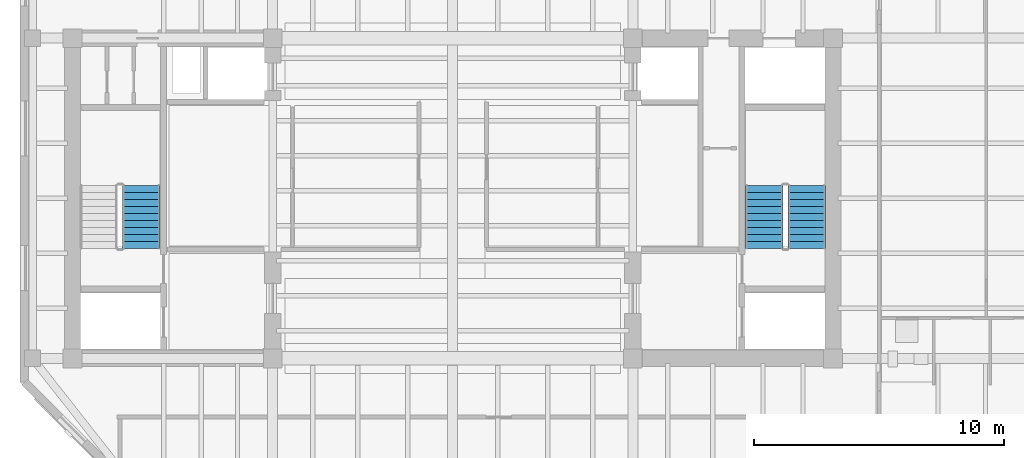
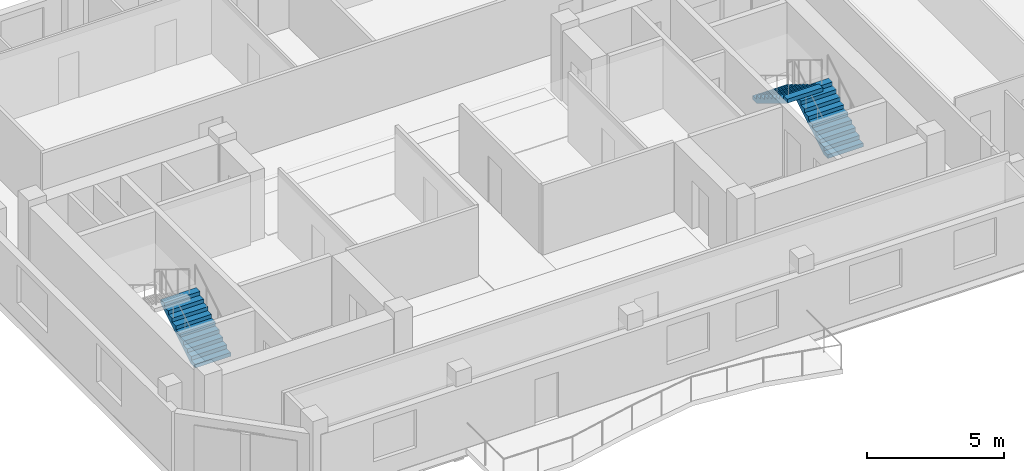
# One storey, part 6 of 9: 3 stair flights, 2 elements without a shape of their own.
"""IFC4 building model written with IfcOpenShell, lengths in metres."""

from ifc_helpers import new_model, si_unit, direction, frame, origin, place, context, subcontext, project, spatial, polyline, outline, extrude, material, type_object, element, aggregate, save


model = new_model("IFC4")

# Units and contexts
model_context = context("Model", 3, precision=1e-05, world=origin(), true_north=direction((0.0, 1.0)))
body_context = subcontext(model_context, "Body", "Model", "MODEL_VIEW")
ifc_project = project(units=[si_unit("LENGTHUNIT", "METRE"), si_unit("AREAUNIT", "SQUARE_METRE"), si_unit("VOLUMEUNIT", "CUBIC_METRE"), si_unit("PLANEANGLEUNIT", "RADIAN"), si_unit("MASSUNIT", "GRAM", prefix="KILO")], contexts=[model_context])

# Site, building, storey
site_placement = place(None, origin())
site = spatial("IfcSite", under=ifc_project, at=site_placement, CompositionType="ELEMENT")
building_placement = place(site_placement, origin())
building = spatial("IfcBuilding", under=site, at=building_placement, Name="Kranthara Brick Stack", CompositionType="ELEMENT")
storey_placement = place(building_placement, frame((0.0, 0.0, 255.10009765625)))
storey = spatial("IfcBuildingStorey", under=building, at=storey_placement, Name="L67", CompositionType="ELEMENT", Elevation=255.10009765625)

# Stair, stair flight
ifc_material_1 = material(Name="Concrete C45/55", Category="concrete")
stair_type = type_object("IfcStairType", Name="ST-CORE-20R", PredefinedType="HALF_TURN_STAIR", material=ifc_material_1)
stair_1_placement = place(storey_placement, origin())
stair_1 = element("IfcStair", 1, at=stair_1_placement, inside=storey, type_object=stair_type, Name="L67 West Core Protected Exit Stair ST01", PredefinedType="HALF_TURN_STAIR")
ifc_material_2 = material(Name="Concrete C45/55", Category="concrete")
stair_flight_type = type_object("IfcStairFlightType", Name="SFL-RC-20R", PredefinedType="STRAIGHT", material=ifc_material_2)
stair_flight_1_placement = place(storey_placement, frame((15.550048828125, 25.199951171875, 0.0), z_axis=(0.0, 0.0, 1.0), x_axis=(0.0, 1.0, 0.0)))
stair_flight_1 = element("IfcStairFlight", 2, at=stair_flight_1_placement, type_object=stair_flight_type, Name="ST01 flight 1", NumberOfRisers=10, NumberOfTreads=9, PredefinedType="STRAIGHT", RiserHeight=0.17, TreadLength=0.28, context=body_context, shape_type="SweptSolid", body=[
    extrude(outline(polyline([(0.0, 0.0), (0.0, 0.169921875), (0.280029296875, 0.169921875), (0.280029296875, 0.340087890625), (0.56005859375, 0.340087890625), (0.56005859375, 0.510009765625), (0.840087890625, 0.510009765625), (0.840087890625, 0.679931640625), (1.1201171875, 0.679931640625), (1.1201171875, 0.85009765625), (1.39990234375, 0.85009765625), (1.39990234375, 1.02001953125), (1.679931640625, 1.02001953125), (1.679931640625, 1.18994140625), (1.9599609375, 1.18994140625), (1.9599609375, 1.360107421875), (2.239990234375, 1.360107421875), (2.239990234375, 1.530029296875), (2.52001953125, 1.530029296875), (2.52001953125, 1.699951171875), (2.52001953125, 1.354736328125), (0.288818359375, 0.0), (0.0, 0.0)])), frame((0.0, 0.75, 0.0), z_axis=(0.0, -1.0, 0.0), x_axis=(1.0, 0.0, 0.0)), (0.0, 0.0, 1.0), 1.5),
])
aggregate(stair_1, [stair_flight_1])

# Stair, stair flights
stair_2_placement = place(storey_placement, origin())
stair_2 = element("IfcStair", 3, at=stair_2_placement, inside=storey, type_object=stair_type, Name="L67 East Core Protected Exit Stair ST02", PredefinedType="HALF_TURN_STAIR")
stair_flight_2_placement = place(storey_placement, frame((42.14990234375, 25.199951171875, 0.0), z_axis=(0.0, 0.0, 1.0), x_axis=(0.0, 1.0, 0.0)))
stair_flight_2 = element("IfcStairFlight", 4, at=stair_flight_2_placement, type_object=stair_flight_type, Name="ST02 flight 1", NumberOfRisers=10, NumberOfTreads=9, PredefinedType="STRAIGHT", RiserHeight=0.17, TreadLength=0.28, context=body_context, shape_type="SweptSolid", body=[
    extrude(outline(polyline([(0.0, 0.0), (0.0, 0.169921875), (0.280029296875, 0.169921875), (0.280029296875, 0.340087890625), (0.56005859375, 0.340087890625), (0.56005859375, 0.510009765625), (0.840087890625, 0.510009765625), (0.840087890625, 0.679931640625), (1.1201171875, 0.679931640625), (1.1201171875, 0.85009765625), (1.39990234375, 0.85009765625), (1.39990234375, 1.02001953125), (1.679931640625, 1.02001953125), (1.679931640625, 1.18994140625), (1.9599609375, 1.18994140625), (1.9599609375, 1.360107421875), (2.239990234375, 1.360107421875), (2.239990234375, 1.530029296875), (2.52001953125, 1.530029296875), (2.52001953125, 1.699951171875), (2.52001953125, 1.354736328125), (0.288818359375, 0.0), (0.0, 0.0)])), frame((0.0, 0.75, 0.0), z_axis=(0.0, -1.0, 0.0), x_axis=(1.0, 0.0, 0.0)), (0.0, 0.0, 1.0), 1.5),
])
stair_flight_3_placement = place(storey_placement, frame((40.449951171875, 27.719970703125, 1.699951171875), z_axis=(0.0, 0.0, 1.0), x_axis=(0.0, -1.0, 0.0)))
stair_flight_3 = element("IfcStairFlight", 5, at=stair_flight_3_placement, type_object=stair_flight_type, Name="ST02 flight 2", NumberOfRisers=10, NumberOfTreads=9, PredefinedType="STRAIGHT", RiserHeight=0.17, TreadLength=0.28, context=body_context, shape_type="SweptSolid", body=[
    extrude(outline(polyline([(0.0, 0.0), (0.0, 0.169921875), (0.280029296875, 0.169921875), (0.280029296875, 0.340087890625), (0.56005859375, 0.340087890625), (0.56005859375, 0.510009765625), (0.840087890625, 0.510009765625), (0.840087890625, 0.679931640625), (1.1201171875, 0.679931640625), (1.1201171875, 0.85009765625), (1.39990234375, 0.85009765625), (1.39990234375, 1.02001953125), (1.679931640625, 1.02001953125), (1.679931640625, 1.18994140625), (1.9599609375, 1.18994140625), (1.9599609375, 1.360107421875), (2.239990234375, 1.360107421875), (2.239990234375, 1.530029296875), (2.52001953125, 1.530029296875), (2.52001953125, 1.699951171875), (2.52001953125, 1.354736328125), (0.288818359375, 0.0), (0.0, 0.0)])), frame((0.0, 0.75, 0.0), z_axis=(0.0, -1.0, 0.0), x_axis=(1.0, 0.0, 0.0)), (0.0, 0.0, 1.0), 1.5),
])
aggregate(stair_2, [stair_flight_2, stair_flight_3])

save(model, "model.ifc")
